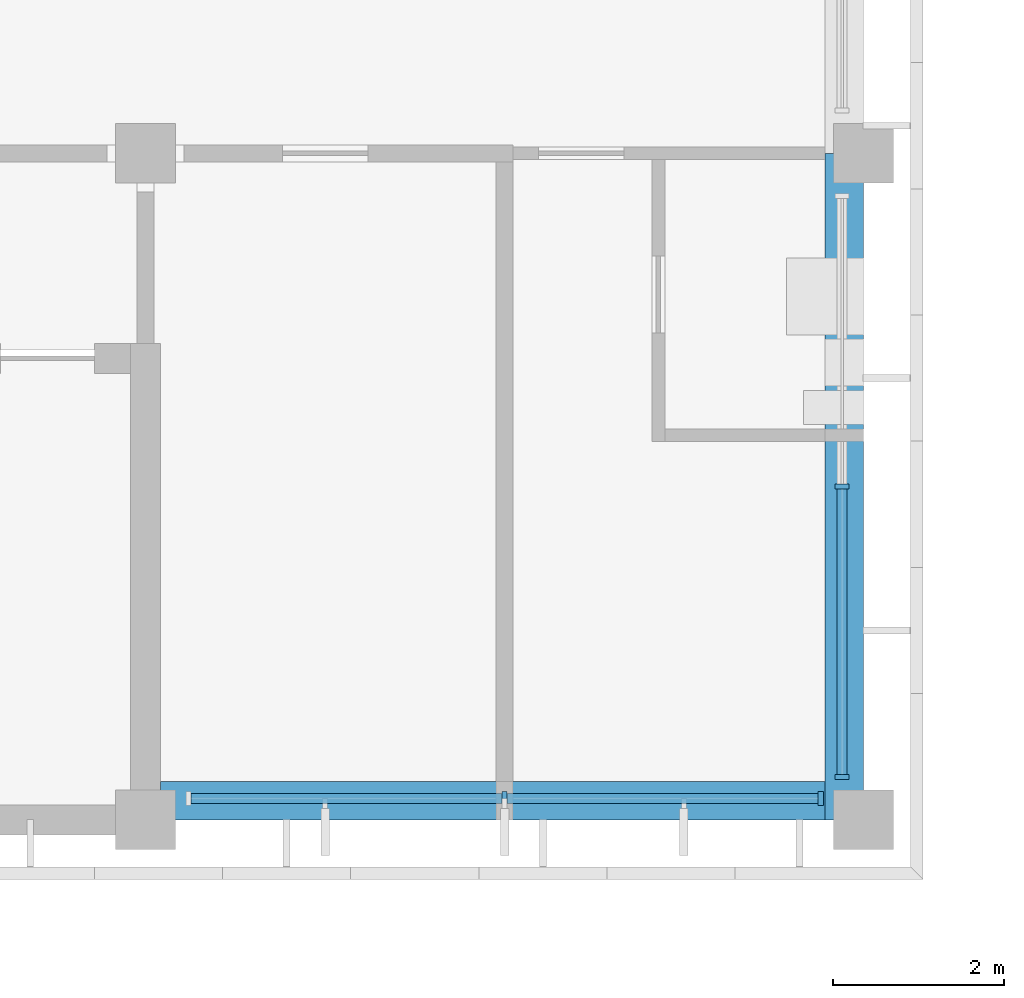
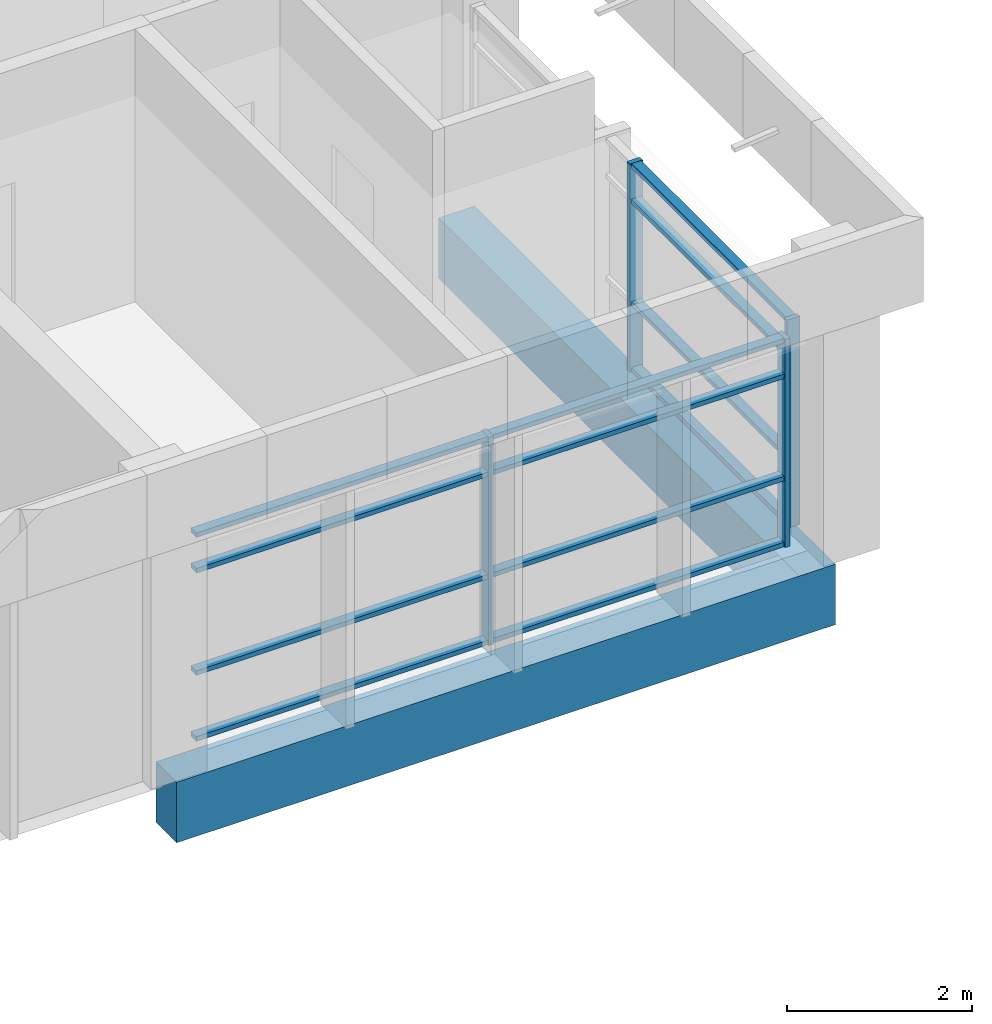
# One storey, part 9 of 74: 16 members, 2 beams, 2 elements without a shape of their own.
"""IFC4 building model written with IfcOpenShell, lengths in metres."""

from ifc_helpers import new_model, si_unit, direction, frame, origin, origin_2d, place, context, subcontext, project, spatial, rectangle, extrude, material, material_profile, profile_set, type_object, element, aggregate, save


model = new_model("IFC4")

# Units and contexts
model_context = context("Model", 3, precision=1e-05, world=origin(), true_north=direction((0.0, 1.0)))
body_context = subcontext(model_context, "Body", "Model", "MODEL_VIEW")
ifc_project = project(units=[si_unit("LENGTHUNIT", "METRE"), si_unit("AREAUNIT", "SQUARE_METRE"), si_unit("VOLUMEUNIT", "CUBIC_METRE"), si_unit("PLANEANGLEUNIT", "RADIAN"), si_unit("MASSUNIT", "GRAM", prefix="KILO")], contexts=[model_context])

# Site, building, storey
site_placement = place(None, origin())
site = spatial("IfcSite", under=ifc_project, at=site_placement, CompositionType="ELEMENT")
building_placement = place(site_placement, origin())
building = spatial("IfcBuilding", under=site, at=building_placement, Name="Bougainvillea Quay General Hospital", CompositionType="ELEMENT")
storey_placement = place(building_placement, frame((0.0, 0.0, 21.0)))
storey = spatial("IfcBuildingStorey", under=building, at=storey_placement, Name="L04", CompositionType="ELEMENT", Elevation=21.0)

# Curtain wall, members
ifc_material_1 = material(Name="Aluminium curtain wall system, powder-coated glazed", Category="aluminium")
curtain_wall_type_1 = type_object("IfcCurtainWallType", Name="Unitised curtain wall CW-3730", PredefinedType="NOTDEFINED", material=ifc_material_1)
curtain_wall_1_placement = place(storey_placement, origin())
curtain_wall_1 = element("IfcCurtainWall", 1, at=curtain_wall_1_placement, inside=storey, type_object=curtain_wall_type_1, Name="CW-4200 10", PredefinedType="NOTDEFINED")
ifc_material_2 = material(Name="Aluminium mullion, powder-coated charcoal", Category="aluminium")
ifc_material_profile_1 = material_profile(ifc_material_2, rectangle(XDim=0.159912109375, YDim=0.06005859375, at=origin_2d()))
ifc_profile_set_1 = profile_set([ifc_material_profile_1], Name="Aluminium mullion, powder-coated charcoal")
member_type_1 = type_object("IfcMemberType", Name="Curtain wall mullion 160x60", PredefinedType="MULLION", material=ifc_profile_set_1)
member_1_placement = place(storey_placement, frame((163.800048828125, 117.85009765625, 0.0), z_axis=(0.0, 0.0, 1.0), x_axis=(0.0, 1.0, 0.0)))
member_1 = element("IfcMember", 2, at=member_1_placement, type_object=member_type_1, Name="CW-4200 mullion 2", PredefinedType="MULLION", context=body_context, shape_type="SweptSolid", body=[
    extrude(rectangle(XDim=0.159912109375, YDim=0.06005859375, at=origin_2d()), origin(), (0.0, 0.0, 1.0), 2.75),
])
member_2_placement = place(storey_placement, frame((167.5, 117.85009765625, 0.0), z_axis=(0.0, 0.0, 1.0), x_axis=(0.0, 1.0, 0.0)))
member_2 = element("IfcMember", 3, at=member_2_placement, type_object=member_type_1, Name="CW-4200 mullion 3", PredefinedType="MULLION", context=body_context, shape_type="SweptSolid", body=[
    extrude(rectangle(XDim=0.159912109375, YDim=0.06005859375, at=origin_2d()), origin(), (0.0, 0.0, 1.0), 2.75),
])

curtain_wall_type_2 = type_object("IfcCurtainWallType", Name="Unitised curtain wall CW-3430", PredefinedType="NOTDEFINED", material=ifc_material_1)
curtain_wall_2_placement = place(storey_placement, origin())
curtain_wall_2 = element("IfcCurtainWall", 4, at=curtain_wall_2_placement, inside=storey, type_object=curtain_wall_type_2, Name="CW-4200 00", PredefinedType="NOTDEFINED")
member_3_placement = place(storey_placement, frame((167.75, 118.10009765625, 0.0), z_axis=(0.0, 0.0, 1.0), x_axis=(-1.0, 0.0, 0.0)))
member_3 = element("IfcMember", 5, at=member_3_placement, type_object=member_type_1, Name="CW-4200 mullion 1", PredefinedType="MULLION", context=body_context, shape_type="SweptSolid", body=[
    extrude(rectangle(XDim=0.159912109375, YDim=0.06005859375, at=origin_2d()), origin(), (0.0, 0.0, 1.0), 2.75),
])
member_4_placement = place(storey_placement, frame((167.75, 121.5, 0.0), z_axis=(0.0, 0.0, 1.0), x_axis=(-1.0, 0.0, 0.0)))
member_4 = element("IfcMember", 6, at=member_4_placement, type_object=member_type_1, Name="CW-4200 mullion 2", PredefinedType="MULLION", context=body_context, shape_type="SweptSolid", body=[
    extrude(rectangle(XDim=0.159912109375, YDim=0.06005859375, at=origin_2d()), origin(), (0.0, 0.0, 1.0), 2.75),
])

# Member
ifc_material_3 = material(Name="Aluminium transom, powder-coated charcoal", Category="aluminium")
ifc_material_profile_2 = material_profile(ifc_material_3, rectangle(XDim=0.1201171875, YDim=0.06005859375, at=origin_2d()))
ifc_profile_set_2 = profile_set([ifc_material_profile_2], Name="Aluminium transom, powder-coated charcoal")
member_type_2 = type_object("IfcMemberType", Name="Curtain wall transom 120x60", PredefinedType="USERDEFINED", material=ifc_profile_set_2)
member_5_placement = place(storey_placement, frame((160.1298828125, 117.85009765625, 0.030029296875), z_axis=(1.0, 0.0, 0.0), x_axis=(0.0, 1.0, 0.0)))
member_5 = element("IfcMember", 7, at=member_5_placement, type_object=member_type_2, Name="CW-4200 transom 1.1", ObjectType="TRANSOM", PredefinedType="USERDEFINED", context=body_context, shape_type="SweptSolid", body=[
    extrude(rectangle(XDim=0.1201171875, YDim=0.06005859375, at=origin_2d()), origin(), (0.0, 0.0, 1.0), 3.64013671875),
])

member_6_placement = place(storey_placement, frame((160.1298828125, 117.85009765625, 0.89990234375), z_axis=(1.0, 0.0, 0.0), x_axis=(0.0, 1.0, 0.0)))
member_6 = element("IfcMember", 8, at=member_6_placement, type_object=member_type_2, Name="CW-4200 transom 1.2", ObjectType="TRANSOM", PredefinedType="USERDEFINED", context=body_context, shape_type="SweptSolid", body=[
    extrude(rectangle(XDim=0.1201171875, YDim=0.06005859375, at=origin_2d()), origin(), (0.0, 0.0, 1.0), 3.64013671875),
])

member_7_placement = place(storey_placement, frame((160.1298828125, 117.85009765625, 2.25), z_axis=(1.0, 0.0, 0.0), x_axis=(0.0, 1.0, 0.0)))
member_7 = element("IfcMember", 9, at=member_7_placement, type_object=member_type_2, Name="CW-4200 transom 1.3", ObjectType="TRANSOM", PredefinedType="USERDEFINED", context=body_context, shape_type="SweptSolid", body=[
    extrude(rectangle(XDim=0.1201171875, YDim=0.06005859375, at=origin_2d()), origin(), (0.0, 0.0, 1.0), 3.64013671875),
])

member_8_placement = place(storey_placement, frame((160.1298828125, 117.85009765625, 2.719970703125), z_axis=(1.0, 0.0, 0.0), x_axis=(0.0, 1.0, 0.0)))
member_8 = element("IfcMember", 10, at=member_8_placement, type_object=member_type_2, Name="CW-4200 transom 1.4", ObjectType="TRANSOM", PredefinedType="USERDEFINED", context=body_context, shape_type="SweptSolid", body=[
    extrude(rectangle(XDim=0.1201171875, YDim=0.06005859375, at=origin_2d()), origin(), (0.0, 0.0, 1.0), 3.64013671875),
])

member_9_placement = place(storey_placement, frame((163.830078125, 117.85009765625, 0.030029296875), z_axis=(1.0, 0.0, 0.0), x_axis=(0.0, 1.0, 0.0)))
member_9 = element("IfcMember", 11, at=member_9_placement, type_object=member_type_2, Name="CW-4200 transom 2.1", ObjectType="TRANSOM", PredefinedType="USERDEFINED", context=body_context, shape_type="SweptSolid", body=[
    extrude(rectangle(XDim=0.1201171875, YDim=0.06005859375, at=origin_2d()), origin(), (0.0, 0.0, 1.0), 3.639892578125),
])

member_10_placement = place(storey_placement, frame((163.830078125, 117.85009765625, 0.89990234375), z_axis=(1.0, 0.0, 0.0), x_axis=(0.0, 1.0, 0.0)))
member_10 = element("IfcMember", 12, at=member_10_placement, type_object=member_type_2, Name="CW-4200 transom 2.2", ObjectType="TRANSOM", PredefinedType="USERDEFINED", context=body_context, shape_type="SweptSolid", body=[
    extrude(rectangle(XDim=0.1201171875, YDim=0.06005859375, at=origin_2d()), origin(), (0.0, 0.0, 1.0), 3.639892578125),
])

member_11_placement = place(storey_placement, frame((163.830078125, 117.85009765625, 2.25), z_axis=(1.0, 0.0, 0.0), x_axis=(0.0, 1.0, 0.0)))
member_11 = element("IfcMember", 13, at=member_11_placement, type_object=member_type_2, Name="CW-4200 transom 2.3", ObjectType="TRANSOM", PredefinedType="USERDEFINED", context=body_context, shape_type="SweptSolid", body=[
    extrude(rectangle(XDim=0.1201171875, YDim=0.06005859375, at=origin_2d()), origin(), (0.0, 0.0, 1.0), 3.639892578125),
])

member_12_placement = place(storey_placement, frame((163.830078125, 117.85009765625, 2.719970703125), z_axis=(1.0, 0.0, 0.0), x_axis=(0.0, 1.0, 0.0)))
member_12 = element("IfcMember", 14, at=member_12_placement, type_object=member_type_2, Name="CW-4200 transom 2.4", ObjectType="TRANSOM", PredefinedType="USERDEFINED", context=body_context, shape_type="SweptSolid", body=[
    extrude(rectangle(XDim=0.1201171875, YDim=0.06005859375, at=origin_2d()), origin(), (0.0, 0.0, 1.0), 3.639892578125),
])

aggregate(curtain_wall_1, [member_1, member_2, member_5, member_6, member_7, member_8, member_9, member_10, member_11, member_12])

member_13_placement = place(storey_placement, frame((167.75, 118.1298828125, 0.030029296875), z_axis=(0.0, 1.0, 0.0), x_axis=(-1.0, 0.0, 0.0)))
member_13 = element("IfcMember", 15, at=member_13_placement, type_object=member_type_2, Name="CW-4200 transom 1.1", ObjectType="TRANSOM", PredefinedType="USERDEFINED", context=body_context, shape_type="SweptSolid", body=[
    extrude(rectangle(XDim=0.1201171875, YDim=0.06005859375, at=origin_2d()), origin(), (0.0, 0.0, 1.0), 3.340087890625),
])

member_14_placement = place(storey_placement, frame((167.75, 118.1298828125, 0.89990234375), z_axis=(0.0, 1.0, 0.0), x_axis=(-1.0, 0.0, 0.0)))
member_14 = element("IfcMember", 16, at=member_14_placement, type_object=member_type_2, Name="CW-4200 transom 1.2", ObjectType="TRANSOM", PredefinedType="USERDEFINED", context=body_context, shape_type="SweptSolid", body=[
    extrude(rectangle(XDim=0.1201171875, YDim=0.06005859375, at=origin_2d()), origin(), (0.0, 0.0, 1.0), 3.340087890625),
])

member_15_placement = place(storey_placement, frame((167.75, 118.1298828125, 2.25), z_axis=(0.0, 1.0, 0.0), x_axis=(-1.0, 0.0, 0.0)))
member_15 = element("IfcMember", 17, at=member_15_placement, type_object=member_type_2, Name="CW-4200 transom 1.3", ObjectType="TRANSOM", PredefinedType="USERDEFINED", context=body_context, shape_type="SweptSolid", body=[
    extrude(rectangle(XDim=0.1201171875, YDim=0.06005859375, at=origin_2d()), origin(), (0.0, 0.0, 1.0), 3.340087890625),
])

member_16_placement = place(storey_placement, frame((167.75, 118.1298828125, 2.719970703125), z_axis=(0.0, 1.0, 0.0), x_axis=(-1.0, 0.0, 0.0)))
member_16 = element("IfcMember", 18, at=member_16_placement, type_object=member_type_2, Name="CW-4200 transom 1.4", ObjectType="TRANSOM", PredefinedType="USERDEFINED", context=body_context, shape_type="SweptSolid", body=[
    extrude(rectangle(XDim=0.1201171875, YDim=0.06005859375, at=origin_2d()), origin(), (0.0, 0.0, 1.0), 3.340087890625),
])

aggregate(curtain_wall_2, [member_3, member_4, member_13, member_14, member_15, member_16])

# Beams
ifc_material_4 = material(Name="Concrete C40", Category="concrete")
ifc_material_profile_3 = material_profile(ifc_material_4, rectangle(XDim=0.449951171875, YDim=0.800048828125, at=origin_2d()))
ifc_profile_set_3 = profile_set([ifc_material_profile_3], Name="Concrete C40")
beam_type = type_object("IfcBeamType", Name="RC BEAM 450x800 C40", PredefinedType="BEAM", material=ifc_profile_set_3)
beam_1_placement = place(storey_placement, frame((159.77490234375, 117.824951171875, -0.699951171875), z_axis=(1.0, 0.0, 0.0), x_axis=(0.0, 1.0, 0.0)))
element("IfcBeam", 19, at=beam_1_placement, inside=storey, type_object=beam_type, Name="Edge beam L04", PredefinedType="BEAM", context=body_context, shape_type="SweptSolid", body=[
    extrude(rectangle(XDim=0.449951171875, YDim=0.800048828125, at=origin_2d()), origin(), (0.0, 0.0, 1.0), 8.22509765625),
])
beam_2_placement = place(storey_placement, frame((167.77490234375, 117.60009765625, -0.699951171875), z_axis=(0.0, 1.0, 0.0), x_axis=(-1.0, 0.0, 0.0)))
element("IfcBeam", 20, at=beam_2_placement, inside=storey, type_object=beam_type, Name="Edge beam L04", PredefinedType="BEAM", context=body_context, shape_type="SweptSolid", body=[
    extrude(rectangle(XDim=0.449951171875, YDim=0.800048828125, at=origin_2d()), origin(), (0.0, 0.0, 1.0), 7.7998046875),
])

save(model, "model.ifc")
